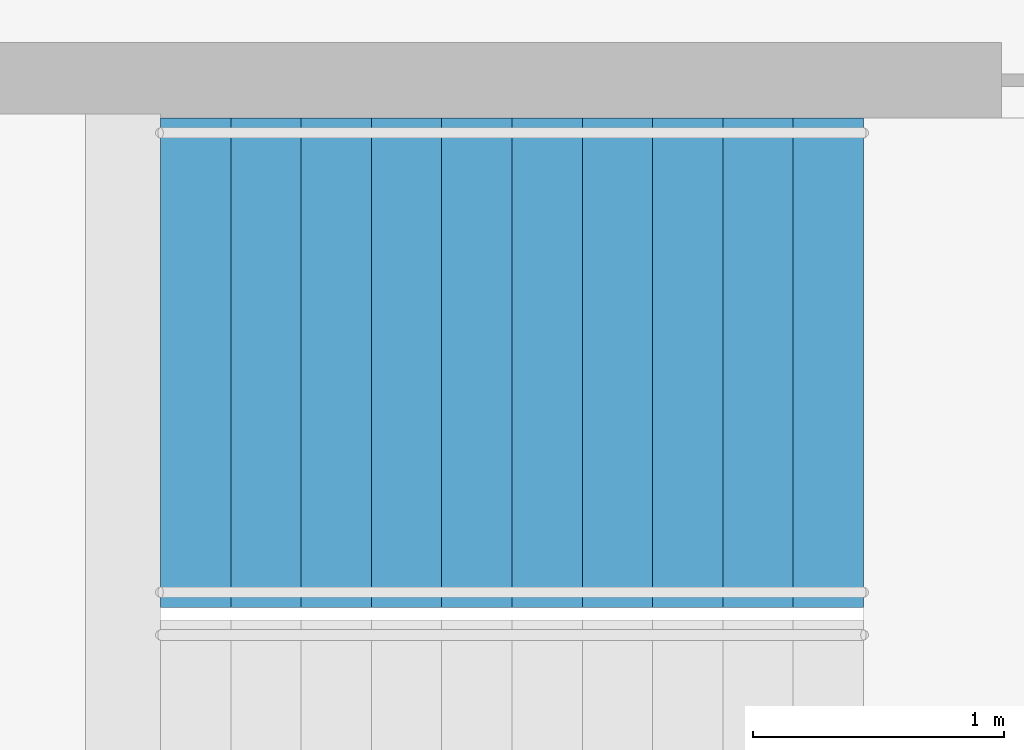
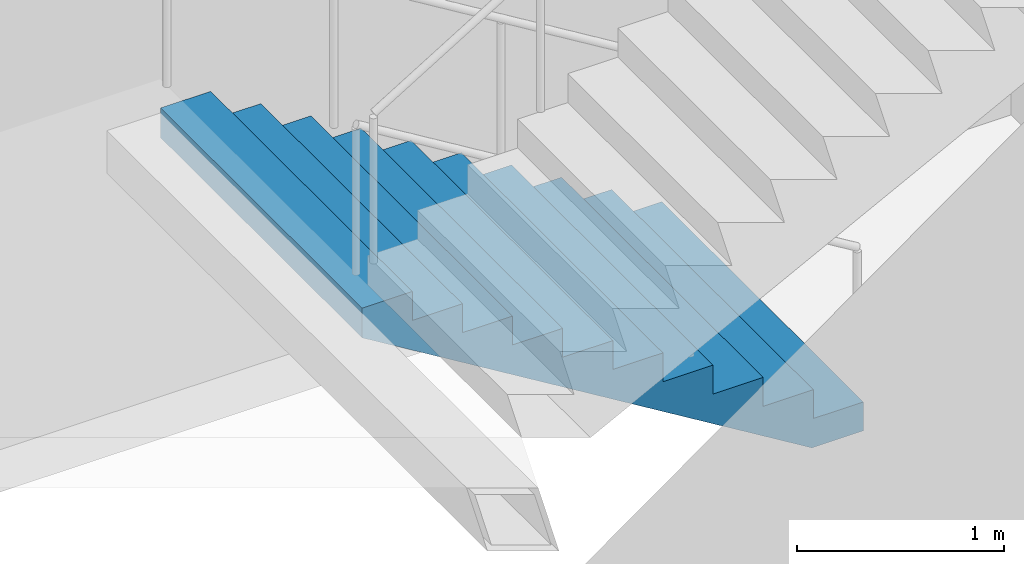
# One storey, part 21 of 22: 1 stair flight, 1 element without a shape of its own.
"""IFC4 building model written with IfcOpenShell, lengths in metres."""

from ifc_helpers import new_model, si_unit, direction, frame, origin, place, context, subcontext, project, spatial, triangles, material, type_object, element, aggregate, save


model = new_model("IFC4")

# Units and contexts
model_context = context("Model", 3, precision=1e-05, world=origin(), true_north=direction((0.0, 1.0)))
body_context = subcontext(model_context, "Body", "Model", "MODEL_VIEW")
ifc_project = project(units=[si_unit("LENGTHUNIT", "METRE"), si_unit("AREAUNIT", "SQUARE_METRE"), si_unit("VOLUMEUNIT", "CUBIC_METRE"), si_unit("PLANEANGLEUNIT", "RADIAN"), si_unit("MASSUNIT", "GRAM", prefix="KILO")], contexts=[model_context])

# Site, building, storey
site_placement = place(None, origin())
site = spatial("IfcSite", under=ifc_project, at=site_placement, CompositionType="ELEMENT")
building_placement = place(site_placement, origin())
building = spatial("IfcBuilding", under=site, at=building_placement, Name="Orbita Commons", CompositionType="ELEMENT")
storey_placement = place(building_placement, frame((0.0, 0.0, 57.699951171875)))
storey = spatial("IfcBuildingStorey", under=building, at=storey_placement, Name="L14", CompositionType="ELEMENT", Elevation=57.699951171875)

# Stair, stair flight
ifc_material_1 = material(Name="Precast concrete C40/50", Category="concrete")
stair_type = type_object("IfcStairType", Name="Exit stair S2 2 flights 11 risers 170", PredefinedType="HALF_TURN_STAIR", material=ifc_material_1)
stair_placement = place(storey_placement, origin())
stair = element("IfcStair", 1, at=stair_placement, inside=storey, type_object=stair_type, Name="Exit stair S2 L14", PredefinedType="HALF_TURN_STAIR")
ifc_material_2 = material(Name="Precast concrete C40/50", Category="concrete")
stair_flight_type = type_object("IfcStairFlightType", Name="Stair flight 11 risers 170 x 280", PredefinedType="STRAIGHT", material=ifc_material_2)
stair_flight_placement = place(storey_placement, frame((63.550048828125, 29.27490234375, 0.0), z_axis=(0.0, 0.0, 1.0), x_axis=(-1.0, 0.0, 0.0)))
stair_flight = element("IfcStairFlight", 2, at=stair_flight_placement, type_object=stair_flight_type, Name="S2 flight 1", NumberOfRisers=11, NumberOfTreads=10, PredefinedType="STRAIGHT", RiserHeight=0.170454545, TreadLength=0.28, context=body_context, shape_type="Tessellation", body=[
    triangles([(0.0, 0.974976, 0.0), (0.0, 0.974976, 0.021307), (0.0, 0.81248, 0.021307), (0.0, 0.81248, 0.0), (0.0, 0.649984, 0.021307), (0.0, 0.649984, 0.0), (0.0, 0.487488, 0.021307), (0.0, 0.487488, 0.0), (0.0, 0.324992, 0.021307), (0.0, 0.324992, 0.0), (0.0, 0.162496, 0.021307), (0.0, 0.162496, 0.0), (0.0, 0.0, 0.021307), (0.0, 0.0, 0.0), (0.0, -0.162496, 0.021307), (0.0, -0.162496, 0.0), (0.0, -0.324992, 0.021307), (0.0, -0.324992, 0.0), (0.0, -0.487488, 0.021307), (0.0, -0.487488, 0.0), (0.0, -0.649984, 0.021307), (0.0, -0.649984, 0.0), (0.0, -0.81248, 0.021307), (0.0, -0.81248, 0.0), (0.0, -0.974976, 0.021307), (0.0, -0.974976, 0.0), (0.0, 0.974976, 0.042614), (0.0, 0.81248, 0.042614), (0.0, 0.649984, 0.042614), (0.0, 0.487488, 0.042614), (0.0, 0.324992, 0.042614), (0.0, 0.162496, 0.042614), (0.0, 0.0, 0.042614), (0.0, -0.162496, 0.042614), (0.0, -0.324992, 0.042614), (0.0, -0.487488, 0.042614), (0.0, -0.649984, 0.042614), (0.0, -0.81248, 0.042614), (0.0, -0.974976, 0.042614), (0.0, 0.974976, 0.06392), (0.0, 0.81248, 0.06392), (0.0, 0.649984, 0.06392), (0.0, 0.487488, 0.06392), (0.0, 0.324992, 0.06392), (0.0, 0.162496, 0.06392), (0.0, 0.0, 0.06392), (0.0, -0.162496, 0.06392), (0.0, -0.324992, 0.06392), (0.0, -0.487488, 0.06392), (0.0, -0.649984, 0.06392), (0.0, -0.81248, 0.06392), (0.0, -0.974976, 0.06392), (0.0, 0.974976, 0.085227), (0.0, 0.81248, 0.085227), (0.0, 0.649984, 0.085227), (0.0, 0.487488, 0.085227), (0.0, 0.324992, 0.085227), (0.0, 0.162496, 0.085227), (0.0, 0.0, 0.085227), (0.0, -0.162496, 0.085227), (0.0, -0.324992, 0.085227), (0.0, -0.487488, 0.085227), (0.0, -0.649984, 0.085227), (0.0, -0.81248, 0.085227), (0.0, -0.974976, 0.085227), (0.0, 0.974976, 0.106534), (0.0, 0.81248, 0.106534), (0.0, 0.649984, 0.106534), (0.0, 0.487488, 0.106534), (0.0, 0.324992, 0.106534), (0.0, 0.162496, 0.106534), (0.0, 0.0, 0.106534), (0.0, -0.162496, 0.106534), (0.0, -0.324992, 0.106534), (0.0, -0.487488, 0.106534), (0.0, -0.649984, 0.106534), (0.0, -0.81248, 0.106534), (0.0, -0.974976, 0.106534), (0.0, 0.974976, 0.127841), (0.0, 0.81248, 0.127841), (0.0, 0.649984, 0.127841), (0.0, 0.487488, 0.127841), (0.0, 0.324992, 0.127841), (0.0, 0.162496, 0.127841), (0.0, 0.0, 0.127841), (0.0, -0.162496, 0.127841), (0.0, -0.324992, 0.127841), (0.0, -0.487488, 0.127841), (0.0, -0.649984, 0.127841), (0.0, -0.81248, 0.127841), (0.0, -0.974976, 0.127841), (0.0, 0.974976, 0.149148), (0.0, 0.81248, 0.149148), (0.0, 0.649984, 0.149148), (0.0, 0.487488, 0.149148), (0.0, 0.324992, 0.149148), (0.0, 0.162496, 0.149148), (0.0, 0.0, 0.149148), (0.0, -0.162496, 0.149148), (0.0, -0.324992, 0.149148), (0.0, -0.487488, 0.149148), (0.0, -0.649984, 0.149148), (0.0, -0.81248, 0.149148), (0.0, -0.974976, 0.149148), (0.0, 0.974976, 0.170455), (0.0, 0.81248, 0.170455), (0.0, 0.649984, 0.170455), (0.0, 0.487488, 0.170455), (0.0, 0.324992, 0.170455), (0.0, 0.162496, 0.170455), (0.0, 0.0, 0.170455), (0.0, -0.162496, 0.170455), (0.0, -0.324992, 0.170455), (0.0, -0.487488, 0.170455), (0.0, -0.649984, 0.170455), (0.0, -0.81248, 0.170455), (0.0, -0.974976, 0.170455), (0.28, 0.974976, 0.170455), (0.28, 0.81248, 0.170455), (0.28, 0.649984, 0.170455), (0.28, 0.487488, 0.170455), (0.28, 0.324992, 0.170455), (0.28, 0.162496, 0.170455), (0.28, 0.0, 0.170455), (0.28, -0.162496, 0.170455), (0.28, -0.324992, 0.170455), (0.28, -0.487488, 0.170455), (0.28, -0.649984, 0.170455), (0.28, -0.81248, 0.170455), (0.28, -0.974976, 0.170455), (0.28, 0.974976, 0.340909), (0.28, 0.81248, 0.340909), (0.28, 0.649984, 0.340909), (0.28, 0.487488, 0.340909), (0.28, 0.324992, 0.340909), (0.28, 0.162496, 0.340909), (0.28, 0.0, 0.340909), (0.28, -0.162496, 0.340909), (0.28, -0.324992, 0.340909), (0.28, -0.487488, 0.340909), (0.28, -0.649984, 0.340909), (0.28, -0.81248, 0.340909), (0.28, -0.974976, 0.340909), (0.56, 0.974976, 0.340909), (0.56, 0.81248, 0.340909), (0.56, 0.649984, 0.340909), (0.56, 0.487488, 0.340909), (0.56, 0.324992, 0.340909), (0.56, 0.162496, 0.340909), (0.56, 0.0, 0.340909), (0.56, -0.162496, 0.340909), (0.56, -0.324992, 0.340909), (0.56, -0.487488, 0.340909), (0.56, -0.649984, 0.340909), (0.56, -0.81248, 0.340909), (0.56, -0.974976, 0.340909), (0.56, 0.974976, 0.511364), (0.56, 0.81248, 0.511364), (0.56, 0.649984, 0.511364), (0.56, 0.487488, 0.511364), (0.56, 0.324992, 0.511364), (0.56, 0.162496, 0.511364), (0.56, 0.0, 0.511364), (0.56, -0.162496, 0.511364), (0.56, -0.324992, 0.511364), (0.56, -0.487488, 0.511364), (0.56, -0.649984, 0.511364), (0.56, -0.81248, 0.511364), (0.56, -0.974976, 0.511364), (0.84, 0.974976, 0.511364), (0.84, 0.81248, 0.511364), (0.84, 0.649984, 0.511364), (0.84, 0.487488, 0.511364), (0.84, 0.324992, 0.511364), (0.84, 0.162496, 0.511364), (0.84, 0.0, 0.511364), (0.84, -0.162496, 0.511364), (0.84, -0.324992, 0.511364), (0.84, -0.487488, 0.511364), (0.84, -0.649984, 0.511364), (0.84, -0.81248, 0.511364), (0.84, -0.974976, 0.511364), (0.84, 0.974976, 0.681818), (0.84, 0.81248, 0.681818), (0.84, 0.649984, 0.681818), (0.84, 0.487488, 0.681818), (0.84, 0.324992, 0.681818), (0.84, 0.162496, 0.681818), (0.84, 0.0, 0.681818), (0.84, -0.162496, 0.681818), (0.84, -0.324992, 0.681818), (0.84, -0.487488, 0.681818), (0.84, -0.649984, 0.681818), (0.84, -0.81248, 0.681818), (0.84, -0.974976, 0.681818), (1.12, 0.974976, 0.681818), (1.12, 0.81248, 0.681818), (1.12, 0.649984, 0.681818), (1.12, 0.487488, 0.681818), (1.12, 0.324992, 0.681818), (1.12, 0.162496, 0.681818), (1.12, 0.0, 0.681818), (1.12, -0.162496, 0.681818), (1.12, -0.324992, 0.681818), (1.12, -0.487488, 0.681818), (1.12, -0.649984, 0.681818), (1.12, -0.81248, 0.681818), (1.12, -0.974976, 0.681818), (1.12, 0.974976, 0.852273), (1.12, 0.81248, 0.852273), (1.12, 0.649984, 0.852273), (1.12, 0.487488, 0.852273), (1.12, 0.324992, 0.852273), (1.12, 0.162496, 0.852273), (1.12, 0.0, 0.852273), (1.12, -0.162496, 0.852273), (1.12, -0.324992, 0.852273), (1.12, -0.487488, 0.852273), (1.12, -0.649984, 0.852273), (1.12, -0.81248, 0.852273), (1.12, -0.974976, 0.852273), (1.4, 0.974976, 0.852273), (1.4, 0.81248, 0.852273), (1.4, 0.649984, 0.852273), (1.4, 0.487488, 0.852273), (1.4, 0.324992, 0.852273), (1.4, 0.162496, 0.852273), (1.4, 0.0, 0.852273), (1.4, -0.162496, 0.852273), (1.4, -0.324992, 0.852273), (1.4, -0.487488, 0.852273), (1.4, -0.649984, 0.852273), (1.4, -0.81248, 0.852273), (1.4, -0.974976, 0.852273), (1.4, 0.974976, 1.022727), (1.4, 0.81248, 1.022727), (1.4, 0.649984, 1.022727), (1.4, 0.487488, 1.022727), (1.4, 0.324992, 1.022727), (1.4, 0.162496, 1.022727), (1.4, 0.0, 1.022727), (1.4, -0.162496, 1.022727), (1.4, -0.324992, 1.022727), (1.4, -0.487488, 1.022727), (1.4, -0.649984, 1.022727), (1.4, -0.81248, 1.022727), (1.4, -0.974976, 1.022727), (1.68, 0.974976, 1.022727), (1.68, 0.81248, 1.022727), (1.68, 0.649984, 1.022727), (1.68, 0.487488, 1.022727), (1.68, 0.324992, 1.022727), (1.68, 0.162496, 1.022727), (1.68, 0.0, 1.022727), (1.68, -0.162496, 1.022727), (1.68, -0.324992, 1.022727), (1.68, -0.487488, 1.022727), (1.68, -0.649984, 1.022727), (1.68, -0.81248, 1.022727), (1.68, -0.974976, 1.022727), (1.68, 0.974976, 1.193182), (1.68, 0.81248, 1.193182), (1.68, 0.649984, 1.193182), (1.68, 0.487488, 1.193182), (1.68, 0.324992, 1.193182), (1.68, 0.162496, 1.193182), (1.68, 0.0, 1.193182), (1.68, -0.162496, 1.193182), (1.68, -0.324992, 1.193182), (1.68, -0.487488, 1.193182), (1.68, -0.649984, 1.193182), (1.68, -0.81248, 1.193182), (1.68, -0.974976, 1.193182), (1.96, 0.974976, 1.193182), (1.96, 0.81248, 1.193182), (1.96, 0.649984, 1.193182), (1.96, 0.487488, 1.193182), (1.96, 0.324992, 1.193182), (1.96, 0.162496, 1.193182), (1.96, 0.0, 1.193182), (1.96, -0.162496, 1.193182), (1.96, -0.324992, 1.193182), (1.96, -0.487488, 1.193182), (1.96, -0.649984, 1.193182), (1.96, -0.81248, 1.193182), (1.96, -0.974976, 1.193182), (1.96, 0.974976, 1.363636), (1.96, 0.81248, 1.363636), (1.96, 0.649984, 1.363636), (1.96, 0.487488, 1.363636), (1.96, 0.324992, 1.363636), (1.96, 0.162496, 1.363636), (1.96, 0.0, 1.363636), (1.96, -0.162496, 1.363636), (1.96, -0.324992, 1.363636), (1.96, -0.487488, 1.363636), (1.96, -0.649984, 1.363636), (1.96, -0.81248, 1.363636), (1.96, -0.974976, 1.363636), (2.24, 0.974976, 1.363636), (2.24, 0.81248, 1.363636), (2.24, 0.649984, 1.363636), (2.24, 0.487488, 1.363636), (2.24, 0.324992, 1.363636), (2.24, 0.162496, 1.363636), (2.24, 0.0, 1.363636), (2.24, -0.162496, 1.363636), (2.24, -0.324992, 1.363636), (2.24, -0.487488, 1.363636), (2.24, -0.649984, 1.363636), (2.24, -0.81248, 1.363636), (2.24, -0.974976, 1.363636), (2.24, 0.974976, 1.534091), (2.24, 0.81248, 1.534091), (2.24, 0.649984, 1.534091), (2.24, 0.487488, 1.534091), (2.24, 0.324992, 1.534091), (2.24, 0.162496, 1.534091), (2.24, 0.0, 1.534091), (2.24, -0.162496, 1.534091), (2.24, -0.324992, 1.534091), (2.24, -0.487488, 1.534091), (2.24, -0.649984, 1.534091), (2.24, -0.81248, 1.534091), (2.24, -0.974976, 1.534091), (2.52, 0.974976, 1.534091), (2.52, 0.81248, 1.534091), (2.52, 0.649984, 1.534091), (2.52, 0.487488, 1.534091), (2.52, 0.324992, 1.534091), (2.52, 0.162496, 1.534091), (2.52, 0.0, 1.534091), (2.52, -0.162496, 1.534091), (2.52, -0.324992, 1.534091), (2.52, -0.487488, 1.534091), (2.52, -0.649984, 1.534091), (2.52, -0.81248, 1.534091), (2.52, -0.974976, 1.534091), (2.52, 0.974976, 1.704545), (2.52, 0.81248, 1.704545), (2.52, 0.649984, 1.704545), (2.52, 0.487488, 1.704545), (2.52, 0.324992, 1.704545), (2.52, 0.162496, 1.704545), (2.52, 0.0, 1.704545), (2.52, -0.162496, 1.704545), (2.52, -0.324992, 1.704545), (2.52, -0.487488, 1.704545), (2.52, -0.649984, 1.704545), (2.52, -0.81248, 1.704545), (2.52, -0.974976, 1.704545), (2.8, 0.974976, 1.704545), (2.8, 0.81248, 1.704545), (2.8, 0.649984, 1.704545), (2.8, 0.487488, 1.704545), (2.8, 0.324992, 1.704545), (2.8, 0.162496, 1.704545), (2.8, 0.0, 1.704545), (2.8, -0.162496, 1.704545), (2.8, -0.324992, 1.704545), (2.8, -0.487488, 1.704545), (2.8, -0.649984, 1.704545), (2.8, -0.81248, 1.704545), (2.8, -0.974976, 1.704545), (2.8, 0.974976, 1.682609), (2.8, 0.81248, 1.682609), (2.8, 0.649984, 1.682609), (2.8, 0.487488, 1.682609), (2.8, 0.324992, 1.682609), (2.8, 0.162496, 1.682609), (2.8, 0.0, 1.682609), (2.8, -0.162496, 1.682609), (2.8, -0.324992, 1.682609), (2.8, -0.487488, 1.682609), (2.8, -0.649984, 1.682609), (2.8, -0.81248, 1.682609), (2.8, -0.974976, 1.682609), (2.8, 0.974976, 1.660672), (2.8, 0.81248, 1.660672), (2.8, 0.649984, 1.660672), (2.8, 0.487488, 1.660672), (2.8, 0.324992, 1.660672), (2.8, 0.162496, 1.660672), (2.8, 0.0, 1.660672), (2.8, -0.162496, 1.660672), (2.8, -0.324992, 1.660672), (2.8, -0.487488, 1.660672), (2.8, -0.649984, 1.660672), (2.8, -0.81248, 1.660672), (2.8, -0.974976, 1.660672), (2.8, 0.974976, 1.638735), (2.8, 0.81248, 1.638735), (2.8, 0.649984, 1.638735), (2.8, 0.487488, 1.638735), (2.8, 0.324992, 1.638735), (2.8, 0.162496, 1.638735), (2.8, 0.0, 1.638735), (2.8, -0.162496, 1.638735), (2.8, -0.324992, 1.638735), (2.8, -0.487488, 1.638735), (2.8, -0.649984, 1.638735), (2.8, -0.81248, 1.638735), (2.8, -0.974976, 1.638735), (2.8, 0.974976, 1.616798), (2.8, 0.81248, 1.616798), (2.8, 0.649984, 1.616798), (2.8, 0.487488, 1.616798), (2.8, 0.324992, 1.616798), (2.8, 0.162496, 1.616798), (2.8, 0.0, 1.616798), (2.8, -0.162496, 1.616798), (2.8, -0.324992, 1.616798), (2.8, -0.487488, 1.616798), (2.8, -0.649984, 1.616798), (2.8, -0.81248, 1.616798), (2.8, -0.974976, 1.616798), (2.8, 0.974976, 1.594861), (2.8, 0.81248, 1.594861), (2.8, 0.649984, 1.594861), (2.8, 0.487488, 1.594861), (2.8, 0.324992, 1.594861), (2.8, 0.162496, 1.594861), (2.8, 0.0, 1.594861), (2.8, -0.162496, 1.594861), (2.8, -0.324992, 1.594861), (2.8, -0.487488, 1.594861), (2.8, -0.649984, 1.594861), (2.8, -0.81248, 1.594861), (2.8, -0.974976, 1.594861), (2.8, 0.974976, 1.572925), (2.8, 0.81248, 1.572925), (2.8, 0.649984, 1.572925), (2.8, 0.487488, 1.572925), (2.8, 0.324992, 1.572925), (2.8, 0.162496, 1.572925), (2.8, 0.0, 1.572925), (2.8, -0.162496, 1.572925), (2.8, -0.324992, 1.572925), (2.8, -0.487488, 1.572925), (2.8, -0.649984, 1.572925), (2.8, -0.81248, 1.572925), (2.8, -0.974976, 1.572925), (2.8, 0.974976, 1.550988), (2.8, 0.81248, 1.550988), (2.8, 0.649984, 1.550988), (2.8, 0.487488, 1.550988), (2.8, 0.324992, 1.550988), (2.8, 0.162496, 1.550988), (2.8, 0.0, 1.550988), (2.8, -0.162496, 1.550988), (2.8, -0.324992, 1.550988), (2.8, -0.487488, 1.550988), (2.8, -0.649984, 1.550988), (2.8, -0.81248, 1.550988), (2.8, -0.974976, 1.550988), (2.8, 0.974976, 1.529051), (2.8, 0.81248, 1.529051), (2.8, 0.649984, 1.529051), (2.8, 0.487488, 1.529051), (2.8, 0.324992, 1.529051), (2.8, 0.162496, 1.529051), (2.8, 0.0, 1.529051), (2.8, -0.162496, 1.529051), (2.8, -0.324992, 1.529051), (2.8, -0.487488, 1.529051), (2.8, -0.649984, 1.529051), (2.8, -0.81248, 1.529051), (2.8, -0.974976, 1.529051), (0.288279, 0.974976, 0.0), (0.288279, 0.81248, 0.0), (0.288279, 0.649984, 0.0), (0.288279, 0.487488, 0.0), (0.288279, 0.324992, 0.0), (0.288279, 0.162496, 0.0), (0.288279, 0.0, 0.0), (0.288279, -0.162496, 0.0), (0.288279, -0.324992, 0.0), (0.288279, -0.487488, 0.0), (0.288279, -0.649984, 0.0), (0.288279, -0.81248, 0.0), (0.288279, -0.974976, 0.0)], [[3, 2, 1], [4, 3, 1], [5, 3, 4], [6, 5, 4], [7, 5, 6], [8, 7, 6], [9, 7, 8], [10, 9, 8], [11, 9, 10], [12, 11, 10], [13, 11, 12], [14, 13, 12], [15, 13, 14], [16, 15, 14], [17, 15, 16], [18, 17, 16], [19, 17, 18], [20, 19, 18], [21, 19, 20], [22, 21, 20], [23, 21, 22], [24, 23, 22], [25, 23, 24], [26, 25, 24], [28, 27, 2], [3, 28, 2], [29, 28, 3], [5, 29, 3], [30, 29, 5], [7, 30, 5], [31, 30, 7], [9, 31, 7], [32, 31, 9], [11, 32, 9], [33, 32, 11], [13, 33, 11], [34, 33, 13], [15, 34, 13], [35, 34, 15], [17, 35, 15], [36, 35, 17], [19, 36, 17], [37, 36, 19], [21, 37, 19], [38, 37, 21], [23, 38, 21], [39, 38, 23], [25, 39, 23], [41, 40, 27], [28, 41, 27], [42, 41, 28], [29, 42, 28], [43, 42, 29], [30, 43, 29], [44, 43, 30], [31, 44, 30], [45, 44, 31], [32, 45, 31], [46, 45, 32], [33, 46, 32], [47, 46, 33], [34, 47, 33], [48, 47, 34], [35, 48, 34], [49, 48, 35], [36, 49, 35], [50, 49, 36], [37, 50, 36], [51, 50, 37], [38, 51, 37], [52, 51, 38], [39, 52, 38], [54, 53, 40], [41, 54, 40], [55, 54, 41], [42, 55, 41], [56, 55, 42], [43, 56, 42], [57, 56, 43], [44, 57, 43], [58, 57, 44], [45, 58, 44], [59, 58, 45], [46, 59, 45], [60, 59, 46], [47, 60, 46], [61, 60, 47], [48, 61, 47], [62, 61, 48], [49, 62, 48], [63, 62, 49], [50, 63, 49], [64, 63, 50], [51, 64, 50], [65, 64, 51], [52, 65, 51], [67, 66, 53], [54, 67, 53], [68, 67, 54], [55, 68, 54], [69, 68, 55], [56, 69, 55], [70, 69, 56], [57, 70, 56], [71, 70, 57], [58, 71, 57], [72, 71, 58], [59, 72, 58], [73, 72, 59], [60, 73, 59], [74, 73, 60], [61, 74, 60], [75, 74, 61], [62, 75, 61], [76, 75, 62], [63, 76, 62], [77, 76, 63], [64, 77, 63], [78, 77, 64], [65, 78, 64], [80, 79, 66], [67, 80, 66], [81, 80, 67], [68, 81, 67], [82, 81, 68], [69, 82, 68], [83, 82, 69], [70, 83, 69], [84, 83, 70], [71, 84, 70], [85, 84, 71], [72, 85, 71], [86, 85, 72], [73, 86, 72], [87, 86, 73], [74, 87, 73], [88, 87, 74], [75, 88, 74], [89, 88, 75], [76, 89, 75], [90, 89, 76], [77, 90, 76], [91, 90, 77], [78, 91, 77], [93, 92, 79], [80, 93, 79], [94, 93, 80], [81, 94, 80], [95, 94, 81], [82, 95, 81], [96, 95, 82], [83, 96, 82], [97, 96, 83], [84, 97, 83], [98, 97, 84], [85, 98, 84], [99, 98, 85], [86, 99, 85], [100, 99, 86], [87, 100, 86], [101, 100, 87], [88, 101, 87], [102, 101, 88], [89, 102, 88], [103, 102, 89], [90, 103, 89], [104, 103, 90], [91, 104, 90], [106, 105, 92], [93, 106, 92], [107, 106, 93], [94, 107, 93], [108, 107, 94], [95, 108, 94], [109, 108, 95], [96, 109, 95], [110, 109, 96], [97, 110, 96], [111, 110, 97], [98, 111, 97], [112, 111, 98], [99, 112, 98], [113, 112, 99], [100, 113, 99], [114, 113, 100], [101, 114, 100], [115, 114, 101], [102, 115, 101], [116, 115, 102], [103, 116, 102], [117, 116, 103], [104, 117, 103], [119, 118, 105], [106, 119, 105], [120, 119, 106], [107, 120, 106], [121, 120, 107], [108, 121, 107], [122, 121, 108], [109, 122, 108], [123, 122, 109], [110, 123, 109], [124, 123, 110], [111, 124, 110], [125, 124, 111], [112, 125, 111], [126, 125, 112], [113, 126, 112], [127, 126, 113], [114, 127, 113], [128, 127, 114], [115, 128, 114], [129, 128, 115], [116, 129, 115], [130, 129, 116], [117, 130, 116], [132, 131, 118], [119, 132, 118], [133, 132, 119], [120, 133, 119], [134, 133, 120], [121, 134, 120], [135, 134, 121], [122, 135, 121], [136, 135, 122], [123, 136, 122], [137, 136, 123], [124, 137, 123], [138, 137, 124], [125, 138, 124], [139, 138, 125], [126, 139, 125], [140, 139, 126], [127, 140, 126], [141, 140, 127], [128, 141, 127], [142, 141, 128], [129, 142, 128], [143, 142, 129], [130, 143, 129], [145, 144, 131], [132, 145, 131], [146, 145, 132], [133, 146, 132], [147, 146, 133], [134, 147, 133], [148, 147, 134], [135, 148, 134], [149, 148, 135], [136, 149, 135], [150, 149, 136], [137, 150, 136], [151, 150, 137], [138, 151, 137], [152, 151, 138], [139, 152, 138], [153, 152, 139], [140, 153, 139], [154, 153, 140], [141, 154, 140], [155, 154, 141], [142, 155, 141], [156, 155, 142], [143, 156, 142], [158, 157, 144], [145, 158, 144], [159, 158, 145], [146, 159, 145], [160, 159, 146], [147, 160, 146], [161, 160, 147], [148, 161, 147], [162, 161, 148], [149, 162, 148], [163, 162, 149], [150, 163, 149], [164, 163, 150], [151, 164, 150], [165, 164, 151], [152, 165, 151], [166, 165, 152], [153, 166, 152], [167, 166, 153], [154, 167, 153], [168, 167, 154], [155, 168, 154], [169, 168, 155], [156, 169, 155], [171, 170, 157], [158, 171, 157], [172, 171, 158], [159, 172, 158], [173, 172, 159], [160, 173, 159], [174, 173, 160], [161, 174, 160], [175, 174, 161], [162, 175, 161], [176, 175, 162], [163, 176, 162], [177, 176, 163], [164, 177, 163], [178, 177, 164], [165, 178, 164], [179, 178, 165], [166, 179, 165], [180, 179, 166], [167, 180, 166], [181, 180, 167], [168, 181, 167], [182, 181, 168], [169, 182, 168], [184, 183, 170], [171, 184, 170], [185, 184, 171], [172, 185, 171], [186, 185, 172], [173, 186, 172], [187, 186, 173], [174, 187, 173], [188, 187, 174], [175, 188, 174], [189, 188, 175], [176, 189, 175], [190, 189, 176], [177, 190, 176], [191, 190, 177], [178, 191, 177], [192, 191, 178], [179, 192, 178], [193, 192, 179], [180, 193, 179], [194, 193, 180], [181, 194, 180], [195, 194, 181], [182, 195, 181], [197, 196, 183], [184, 197, 183], [198, 197, 184], [185, 198, 184], [199, 198, 185], [186, 199, 185], [200, 199, 186], [187, 200, 186], [201, 200, 187], [188, 201, 187], [202, 201, 188], [189, 202, 188], [203, 202, 189], [190, 203, 189], [204, 203, 190], [191, 204, 190], [205, 204, 191], [192, 205, 191], [206, 205, 192], [193, 206, 192], [207, 206, 193], [194, 207, 193], [208, 207, 194], [195, 208, 194], [210, 209, 196], [197, 210, 196], [211, 210, 197], [198, 211, 197], [212, 211, 198], [199, 212, 198], [213, 212, 199], [200, 213, 199], [214, 213, 200], [201, 214, 200], [215, 214, 201], [202, 215, 201], [216, 215, 202], [203, 216, 202], [217, 216, 203], [204, 217, 203], [218, 217, 204], [205, 218, 204], [219, 218, 205], [206, 219, 205], [220, 219, 206], [207, 220, 206], [221, 220, 207], [208, 221, 207], [223, 222, 209], [210, 223, 209], [224, 223, 210], [211, 224, 210], [225, 224, 211], [212, 225, 211], [226, 225, 212], [213, 226, 212], [227, 226, 213], [214, 227, 213], [228, 227, 214], [215, 228, 214], [229, 228, 215], [216, 229, 215], [230, 229, 216], [217, 230, 216], [231, 230, 217], [218, 231, 217], [232, 231, 218], [219, 232, 218], [233, 232, 219], [220, 233, 219], [234, 233, 220], [221, 234, 220], [236, 235, 222], [223, 236, 222], [237, 236, 223], [224, 237, 223], [238, 237, 224], [225, 238, 224], [239, 238, 225], [226, 239, 225], [240, 239, 226], [227, 240, 226], [241, 240, 227], [228, 241, 227], [242, 241, 228], [229, 242, 228], [243, 242, 229], [230, 243, 229], [244, 243, 230], [231, 244, 230], [245, 244, 231], [232, 245, 231], [246, 245, 232], [233, 246, 232], [247, 246, 233], [234, 247, 233], [249, 248, 235], [236, 249, 235], [250, 249, 236], [237, 250, 236], [251, 250, 237], [238, 251, 237], [252, 251, 238], [239, 252, 238], [253, 252, 239], [240, 253, 239], [254, 253, 240], [241, 254, 240], [255, 254, 241], [242, 255, 241], [256, 255, 242], [243, 256, 242], [257, 256, 243], [244, 257, 243], [258, 257, 244], [245, 258, 244], [259, 258, 245], [246, 259, 245], [260, 259, 246], [247, 260, 246], [262, 261, 248], [249, 262, 248], [263, 262, 249], [250, 263, 249], [264, 263, 250], [251, 264, 250], [265, 264, 251], [252, 265, 251], [266, 265, 252], [253, 266, 252], [267, 266, 253], [254, 267, 253], [268, 267, 254], [255, 268, 254], [269, 268, 255], [256, 269, 255], [270, 269, 256], [257, 270, 256], [271, 270, 257], [258, 271, 257], [272, 271, 258], [259, 272, 258], [273, 272, 259], [260, 273, 259], [275, 274, 261], [262, 275, 261], [276, 275, 262], [263, 276, 262], [277, 276, 263], [264, 277, 263], [278, 277, 264], [265, 278, 264], [279, 278, 265], [266, 279, 265], [280, 279, 266], [267, 280, 266], [281, 280, 267], [268, 281, 267], [282, 281, 268], [269, 282, 268], [283, 282, 269], [270, 283, 269], [284, 283, 270], [271, 284, 270], [285, 284, 271], [272, 285, 271], [286, 285, 272], [273, 286, 272], [288, 287, 274], [275, 288, 274], [289, 288, 275], [276, 289, 275], [290, 289, 276], [277, 290, 276], [291, 290, 277], [278, 291, 277], [292, 291, 278], [279, 292, 278], [293, 292, 279], [280, 293, 279], [294, 293, 280], [281, 294, 280], [295, 294, 281], [282, 295, 281], [296, 295, 282], [283, 296, 282], [297, 296, 283], [284, 297, 283], [298, 297, 284], [285, 298, 284], [299, 298, 285], [286, 299, 285], [301, 300, 287], [288, 301, 287], [302, 301, 288], [289, 302, 288], [303, 302, 289], [290, 303, 289], [304, 303, 290], [291, 304, 290], [305, 304, 291], [292, 305, 291], [306, 305, 292], [293, 306, 292], [307, 306, 293], [294, 307, 293], [308, 307, 294], [295, 308, 294], [309, 308, 295], [296, 309, 295], [310, 309, 296], [297, 310, 296], [311, 310, 297], [298, 311, 297], [312, 311, 298], [299, 312, 298], [314, 313, 300], [301, 314, 300], [315, 314, 301], [302, 315, 301], [316, 315, 302], [303, 316, 302], [317, 316, 303], [304, 317, 303], [318, 317, 304], [305, 318, 304], [319, 318, 305], [306, 319, 305], [320, 319, 306], [307, 320, 306], [321, 320, 307], [308, 321, 307], [322, 321, 308], [309, 322, 308], [323, 322, 309], [310, 323, 309], [324, 323, 310], [311, 324, 310], [325, 324, 311], [312, 325, 311], [327, 326, 313], [314, 327, 313], [328, 327, 314], [315, 328, 314], [329, 328, 315], [316, 329, 315], [330, 329, 316], [317, 330, 316], [331, 330, 317], [318, 331, 317], [332, 331, 318], [319, 332, 318], [333, 332, 319], [320, 333, 319], [334, 333, 320], [321, 334, 320], [335, 334, 321], [322, 335, 321], [336, 335, 322], [323, 336, 322], [337, 336, 323], [324, 337, 323], [338, 337, 324], [325, 338, 324], [340, 339, 326], [327, 340, 326], [341, 340, 327], [328, 341, 327], [342, 341, 328], [329, 342, 328], [343, 342, 329], [330, 343, 329], [344, 343, 330], [331, 344, 330], [345, 344, 331], [332, 345, 331], [346, 345, 332], [333, 346, 332], [347, 346, 333], [334, 347, 333], [348, 347, 334], [335, 348, 334], [349, 348, 335], [336, 349, 335], [350, 349, 336], [337, 350, 336], [351, 350, 337], [338, 351, 337], [353, 352, 339], [340, 353, 339], [354, 353, 340], [341, 354, 340], [355, 354, 341], [342, 355, 341], [356, 355, 342], [343, 356, 342], [357, 356, 343], [344, 357, 343], [358, 357, 344], [345, 358, 344], [359, 358, 345], [346, 359, 345], [360, 359, 346], [347, 360, 346], [361, 360, 347], [348, 361, 347], [362, 361, 348], [349, 362, 348], [363, 362, 349], [350, 363, 349], [364, 363, 350], [351, 364, 350], [366, 365, 352], [353, 366, 352], [367, 366, 353], [354, 367, 353], [368, 367, 354], [355, 368, 354], [369, 368, 355], [356, 369, 355], [370, 369, 356], [357, 370, 356], [371, 370, 357], [358, 371, 357], [372, 371, 358], [359, 372, 358], [373, 372, 359], [360, 373, 359], [374, 373, 360], [361, 374, 360], [375, 374, 361], [362, 375, 361], [376, 375, 362], [363, 376, 362], [377, 376, 363], [364, 377, 363], [379, 378, 365], [366, 379, 365], [380, 379, 366], [367, 380, 366], [381, 380, 367], [368, 381, 367], [382, 381, 368], [369, 382, 368], [383, 382, 369], [370, 383, 369], [384, 383, 370], [371, 384, 370], [385, 384, 371], [372, 385, 371], [386, 385, 372], [373, 386, 372], [387, 386, 373], [374, 387, 373], [388, 387, 374], [375, 388, 374], [389, 388, 375], [376, 389, 375], [390, 389, 376], [377, 390, 376], [392, 391, 378], [379, 392, 378], [393, 392, 379], [380, 393, 379], [394, 393, 380], [381, 394, 380], [395, 394, 381], [382, 395, 381], [396, 395, 382], [383, 396, 382], [397, 396, 383], [384, 397, 383], [398, 397, 384], [385, 398, 384], [399, 398, 385], [386, 399, 385], [400, 399, 386], [387, 400, 386], [401, 400, 387], [388, 401, 387], [402, 401, 388], [389, 402, 388], [403, 402, 389], [390, 403, 389], [405, 404, 391], [392, 405, 391], [406, 405, 392], [393, 406, 392], [407, 406, 393], [394, 407, 393], [408, 407, 394], [395, 408, 394], [409, 408, 395], [396, 409, 395], [410, 409, 396], [397, 410, 396], [411, 410, 397], [398, 411, 397], [412, 411, 398], [399, 412, 398], [413, 412, 399], [400, 413, 399], [414, 413, 400], [401, 414, 400], [415, 414, 401], [402, 415, 401], [416, 415, 402], [403, 416, 402], [418, 417, 404], [405, 418, 404], [419, 418, 405], [406, 419, 405], [420, 419, 406], [407, 420, 406], [421, 420, 407], [408, 421, 407], [422, 421, 408], [409, 422, 408], [423, 422, 409], [410, 423, 409], [424, 423, 410], [411, 424, 410], [425, 424, 411], [412, 425, 411], [426, 425, 412], [413, 426, 412], [427, 426, 413], [414, 427, 413], [428, 427, 414], [415, 428, 414], [429, 428, 415], [416, 429, 415], [431, 430, 417], [418, 431, 417], [432, 431, 418], [419, 432, 418], [433, 432, 419], [420, 433, 419], [434, 433, 420], [421, 434, 420], [435, 434, 421], [422, 435, 421], [436, 435, 422], [423, 436, 422], [437, 436, 423], [424, 437, 423], [438, 437, 424], [425, 438, 424], [439, 438, 425], [426, 439, 425], [440, 439, 426], [427, 440, 426], [441, 440, 427], [428, 441, 427], [442, 441, 428], [429, 442, 428], [444, 443, 430], [431, 444, 430], [445, 444, 431], [432, 445, 431], [446, 445, 432], [433, 446, 432], [447, 446, 433], [434, 447, 433], [448, 447, 434], [435, 448, 434], [449, 448, 435], [436, 449, 435], [450, 449, 436], [437, 450, 436], [451, 450, 437], [438, 451, 437], [452, 451, 438], [439, 452, 438], [453, 452, 439], [440, 453, 439], [454, 453, 440], [441, 454, 440], [455, 454, 441], [442, 455, 441], [457, 456, 443], [444, 457, 443], [458, 457, 444], [445, 458, 444], [459, 458, 445], [446, 459, 445], [460, 459, 446], [447, 460, 446], [461, 460, 447], [448, 461, 447], [462, 461, 448], [449, 462, 448], [463, 462, 449], [450, 463, 449], [464, 463, 450], [451, 464, 450], [465, 464, 451], [452, 465, 451], [466, 465, 452], [453, 466, 452], [467, 466, 453], [454, 467, 453], [468, 467, 454], [455, 468, 454], [470, 469, 456], [457, 470, 456], [471, 470, 457], [458, 471, 457], [472, 471, 458], [459, 472, 458], [473, 472, 459], [460, 473, 459], [474, 473, 460], [461, 474, 460], [475, 474, 461], [462, 475, 461], [476, 475, 462], [463, 476, 462], [477, 476, 463], [464, 477, 463], [478, 477, 464], [465, 478, 464], [479, 478, 465], [466, 479, 465], [480, 479, 466], [467, 480, 466], [481, 480, 467], [468, 481, 467], [4, 1, 469], [470, 4, 469], [6, 4, 470], [471, 6, 470], [8, 6, 471], [472, 8, 471], [10, 8, 472], [473, 10, 472], [12, 10, 473], [474, 12, 473], [14, 12, 474], [475, 14, 474], [16, 14, 475], [476, 16, 475], [18, 16, 476], [477, 18, 476], [20, 18, 477], [478, 20, 477], [22, 20, 478], [479, 22, 478], [24, 22, 479], [480, 24, 479], [26, 24, 480], [481, 26, 480], [456, 469, 1], [26, 481, 468], [443, 456, 1], [26, 468, 455], [430, 443, 1], [26, 455, 442], [417, 430, 1], [26, 442, 429], [404, 417, 1], [26, 429, 416], [391, 404, 1], [26, 416, 403], [378, 391, 1], [26, 403, 390], [365, 378, 1], [26, 390, 377], [339, 352, 365], [377, 364, 351], [326, 339, 365], [377, 351, 338], [300, 313, 326], [338, 325, 312], [300, 326, 365], [377, 338, 312], [274, 287, 300], [312, 299, 286], [274, 300, 365], [377, 312, 286], [248, 261, 274], [286, 273, 260], [248, 274, 365], [377, 286, 260], [222, 235, 248], [260, 247, 234], [222, 248, 365], [377, 260, 234], [196, 209, 222], [234, 221, 208], [196, 222, 365], [377, 234, 208], [170, 183, 196], [208, 195, 182], [170, 196, 365], [377, 208, 182], [144, 157, 170], [182, 169, 156], [144, 170, 365], [377, 182, 156], [118, 131, 144], [156, 143, 130], [118, 144, 365], [377, 156, 130], [118, 365, 1], [26, 377, 130], [92, 105, 118], [130, 117, 104], [79, 92, 118], [130, 104, 91], [66, 79, 118], [130, 91, 78], [53, 66, 118], [130, 78, 65], [40, 53, 118], [130, 65, 52], [27, 40, 118], [130, 52, 39], [2, 27, 118], [130, 39, 25], [1, 2, 118], [130, 25, 26]], closed=True),
])
aggregate(stair, [stair_flight])

save(model, "model.ifc")
